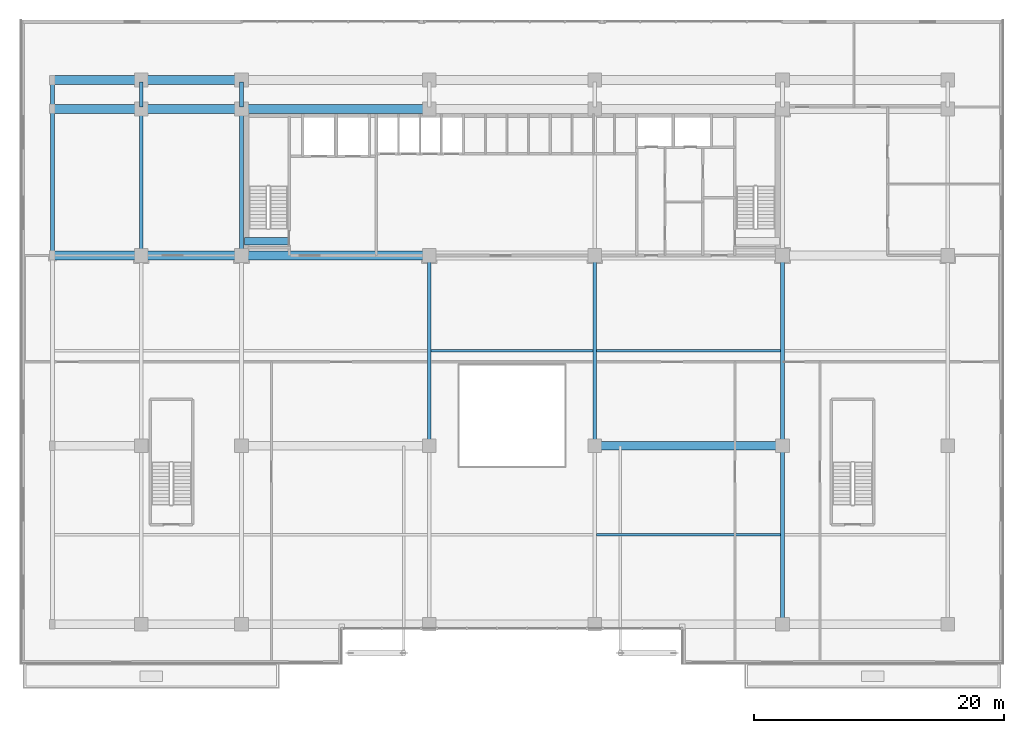
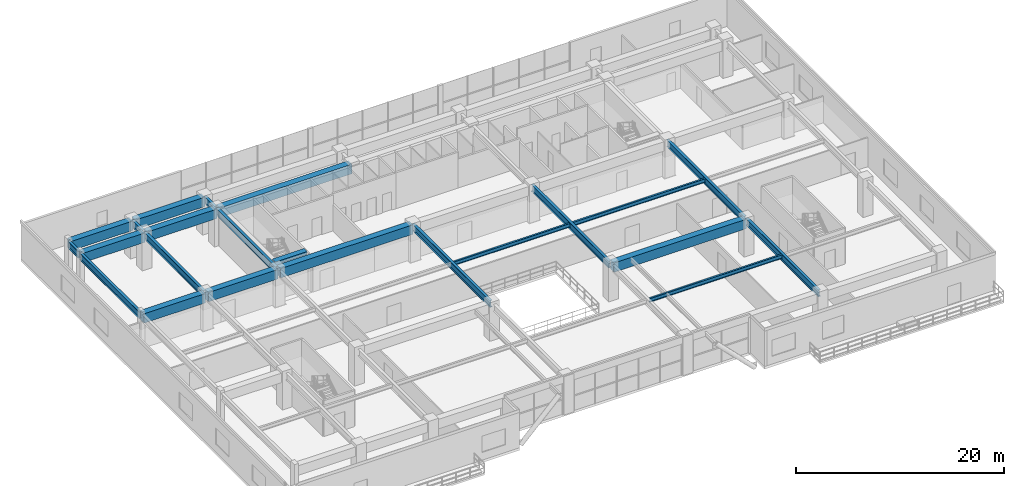
# One storey, part 7 of 24: 23 beams.
"""IFC4 building model written with IfcOpenShell, lengths in metres."""

from ifc_helpers import new_model, si_unit, direction, frame, origin, origin_2d, place, context, subcontext, project, spatial, rectangle, i_section, extrude, source, transform, mapped, material, material_profile, profile_set, type_object, element, save


model = new_model("IFC4")

# Units and contexts
model_context = context("Model", 3, precision=1e-05, world=origin(), true_north=direction((0.0, 1.0)))
body_context = subcontext(model_context, "Body", "Model", "MODEL_VIEW")
ifc_project = project(units=[si_unit("LENGTHUNIT", "METRE"), si_unit("AREAUNIT", "SQUARE_METRE"), si_unit("VOLUMEUNIT", "CUBIC_METRE"), si_unit("PLANEANGLEUNIT", "RADIAN"), si_unit("MASSUNIT", "GRAM", prefix="KILO")], contexts=[model_context])

# Site, building, storey
site_placement = place(None, origin())
site = spatial("IfcSite", under=ifc_project, at=site_placement, CompositionType="ELEMENT")
building_placement = place(site_placement, origin())
building = spatial("IfcBuilding", under=site, at=building_placement, Name="Trelvane Seafront Commons", CompositionType="ELEMENT")
storey_placement = place(building_placement, frame((0.0, 0.0, 9.699951171875)))
storey = spatial("IfcBuildingStorey", under=building, at=storey_placement, Name="L02", CompositionType="ELEMENT", Elevation=9.699951171875)

# Beams
ifc_material_1 = material(Name="Concrete C60/75", Category="concrete")
ifc_material_profile_1 = material_profile(ifc_material_1, rectangle(XDim=0.60009765625, YDim=0.89990234375, at=origin_2d()), Name="RC-600x900")
ifc_profile_set_1 = profile_set([ifc_material_profile_1], Name="Concrete C60/75")
beam_type_1 = type_object("IfcBeamType", Name="STR-LNT-RC600x900", PredefinedType="LINTEL", material=ifc_profile_set_1)
shared_shape_1 = source(origin(), body_context, "Body", "SweptSolid", [
    extrude(rectangle(XDim=0.60009765625, YDim=0.89990234375, at=origin_2d()), origin(), (0.0, 0.0, 1.0), 3.5498046875),
])
beam_1_placement = place(storey_placement, frame((15.85009765625, 34.550048828125, 3.75), z_axis=(1.0, 0.0, 0.0), x_axis=(0.0, 1.0, 0.0)))
element("IfcBeam", 1, at=beam_1_placement, inside=storey, type_object=beam_type_1, Name="L02 Core Coupling Lintel Beam CB-71", PredefinedType="LINTEL", context=body_context, shape_type="MappedRepresentation", body=[
    mapped(shared_shape_1, transform((0.0, 0.0, 0.0), x_axis=(1.0, 0.0, 0.0), y_axis=(0.0, 1.0, 0.0), z_axis=(0.0, 0.0, 1.0), scale=1.0)),
])
ifc_material_2 = material(Name="Concrete C50/60", Category="concrete")
ifc_material_profile_2 = material_profile(ifc_material_2, rectangle(XDim=0.699951171875, YDim=1.10009765625, at=origin_2d()), Name="RC-700x1100")
ifc_profile_set_2 = profile_set([ifc_material_profile_2], Name="Concrete C50/60")
beam_type_2 = type_object("IfcBeamType", Name="STR-TBM-RC700x1100", PredefinedType="T_BEAM", material=ifc_profile_set_2)
shared_shape_2 = source(origin(), body_context, "Body", "SweptSolid", [
    extrude(rectangle(XDim=0.699951171875, YDim=1.10009765625, at=origin_2d()), origin(), (0.0, 0.0, 1.0), 6.83740234375),
])
for number, where, z_axis, x_axis, name in (
    (2, (0.612548828125, 33.39990234375, 3.650146484375), (1.0, 0.0, 0.0), (0.0, 1.0, 0.0), "L02 Primary Girder G-13"),
    (3, (0.612548828125, 45.10009765625, 3.650146484375), (1.0, 0.0, 0.0), (0.0, 1.0, 0.0), "L02 Primary Girder G-19"),
    (4, (0.612548828125, 47.39990234375, 3.650146484375), (1.0, 0.0, 0.0), (0.0, 1.0, 0.0), "L02 Primary Girder G-25"),
):
    element("IfcBeam", number, at=place(storey_placement, frame(where, z_axis=z_axis, x_axis=x_axis)), inside=storey, type_object=beam_type_2, Name=name, PredefinedType="T_BEAM", context=body_context, shape_type="MappedRepresentation", body=[
        mapped(shared_shape_2, transform((0.0, 0.0, 0.0), x_axis=(1.0, 0.0, 0.0), y_axis=(0.0, 1.0, 0.0), z_axis=(0.0, 0.0, 1.0), scale=1.0)),
    ])
shared_shape_3 = source(origin(), body_context, "Body", "SweptSolid", [
    extrude(rectangle(XDim=0.699951171875, YDim=1.10009765625, at=origin_2d()), origin(), (0.0, 0.0, 1.0), 7.699951171875),
])
for number, where, z_axis, x_axis, name in (
    (5, (7.75, 33.39990234375, 3.650146484375), (1.0, 0.0, 0.0), (0.0, 1.0, 0.0), "L02 Primary Girder G-14"),
    (6, (7.75, 45.10009765625, 3.650146484375), (1.0, 0.0, 0.0), (0.0, 1.0, 0.0), "L02 Primary Girder G-20"),
    (7, (7.75, 47.39990234375, 3.650146484375), (1.0, 0.0, 0.0), (0.0, 1.0, 0.0), "L02 Primary Girder G-26"),
):
    element("IfcBeam", number, at=place(storey_placement, frame(where, z_axis=z_axis, x_axis=x_axis)), inside=storey, type_object=beam_type_2, Name=name, PredefinedType="T_BEAM", context=body_context, shape_type="MappedRepresentation", body=[
        mapped(shared_shape_3, transform((0.0, 0.0, 0.0), x_axis=(1.0, 0.0, 0.0), y_axis=(0.0, 1.0, 0.0), z_axis=(0.0, 0.0, 1.0), scale=1.0)),
    ])
shared_shape_4 = source(origin(), body_context, "Body", "SweptSolid", [
    extrude(rectangle(XDim=0.699951171875, YDim=1.10009765625, at=origin_2d()), origin(), (0.0, 0.0, 1.0), 14.699951171875),
])
for number, where, z_axis, x_axis, name in (
    (8, (43.949951171875, 18.199951171875, 3.650146484375), (1.0, 0.0, 0.0), (0.0, 1.0, 0.0), "L02 Primary Girder G-11"),
    (9, (15.75, 33.39990234375, 3.650146484375), (1.0, 0.0, 0.0), (0.0, 1.0, 0.0), "L02 Primary Girder G-15"),
    (10, (15.75, 45.10009765625, 3.650146484375), (1.0, 0.0, 0.0), (0.0, 1.0, 0.0), "L02 Primary Girder G-21"),
):
    element("IfcBeam", number, at=place(storey_placement, frame(where, z_axis=z_axis, x_axis=x_axis)), inside=storey, type_object=beam_type_2, Name=name, PredefinedType="T_BEAM", context=body_context, shape_type="MappedRepresentation", body=[
        mapped(shared_shape_4, transform((0.0, 0.0, 0.0), x_axis=(1.0, 0.0, 0.0), y_axis=(0.0, 1.0, 0.0), z_axis=(0.0, 0.0, 1.0), scale=1.0)),
    ])
ifc_material_3 = material(Name="Steel SM355 (S355)", Category="steel")
ifc_material_profile_3 = material_profile(ifc_material_3, i_section(OverallWidth=0.300048828125, OverallDepth=0.800048828125, WebThickness=0.013916015625, FlangeThickness=0.02587890625, at=origin_2d()), Name="H-800x300x14x26")
ifc_profile_set_3 = profile_set([ifc_material_profile_3], Name="Steel SM355 (S355)")
beam_type_3 = type_object("IfcBeamType", Name="STR-BM-H800", PredefinedType="BEAM", material=ifc_profile_set_3)
shared_shape_5 = source(origin(), body_context, "Body", "SweptSolid", [
    extrude(i_section(OverallWidth=0.300048828125, OverallDepth=0.800048828125, WebThickness=0.013916015625, FlangeThickness=0.02587890625, at=origin_2d()), origin(), (0.0, 0.0, 1.0), 13.949951171875),
])
beam_2_placement = place(storey_placement, frame((58.800048828125, 4.10009765625, 3.800048828125), z_axis=(0.0, 1.0, 0.0), x_axis=(-1.0, 0.0, 0.0)))
element("IfcBeam", 11, at=beam_2_placement, inside=storey, type_object=beam_type_3, Name="L02 Primary Girder G-51", PredefinedType="BEAM", context=body_context, shape_type="MappedRepresentation", body=[
    mapped(shared_shape_5, transform((0.0, 0.0, 0.0), x_axis=(1.0, 0.0, 0.0), y_axis=(0.0, 1.0, 0.0), z_axis=(0.0, 0.0, 1.0), scale=1.0)),
])
shared_shape_6 = source(origin(), body_context, "Body", "SweptSolid", [
    extrude(i_section(OverallWidth=0.300048828125, OverallDepth=0.800048828125, WebThickness=0.013916015625, FlangeThickness=0.02587890625, at=origin_2d()), origin(), (0.0, 0.0, 1.0), 14.89990234375),
])
for number, where, z_axis, x_axis, name in (
    (12, (30.60009765625, 18.35009765625, 3.800048828125), (0.0, 1.0, 0.0), (-1.0, 0.0, 0.0), "L02 Primary Girder G-44"),
    (13, (43.800048828125, 18.35009765625, 3.800048828125), (0.0, 1.0, 0.0), (-1.0, 0.0, 0.0), "L02 Primary Girder G-48"),
    (14, (58.800048828125, 18.35009765625, 3.800048828125), (0.0, 1.0, 0.0), (-1.0, 0.0, 0.0), "L02 Primary Girder G-52"),
):
    element("IfcBeam", number, at=place(storey_placement, frame(where, z_axis=z_axis, x_axis=x_axis)), inside=storey, type_object=beam_type_3, Name=name, PredefinedType="BEAM", context=body_context, shape_type="MappedRepresentation", body=[
        mapped(shared_shape_6, transform((0.0, 0.0, 0.0), x_axis=(1.0, 0.0, 0.0), y_axis=(0.0, 1.0, 0.0), z_axis=(0.0, 0.0, 1.0), scale=1.0)),
    ])
shared_shape_7 = source(origin(), body_context, "Body", "SweptSolid", [
    extrude(i_section(OverallWidth=0.300048828125, OverallDepth=0.800048828125, WebThickness=0.013916015625, FlangeThickness=0.02587890625, at=origin_2d()), origin(), (0.0, 0.0, 1.0), 11.39990234375),
])
for number, where, z_axis, x_axis, name in (
    (15, (0.5, 33.550048828125, 3.800048828125), (0.0, 1.0, 0.0), (-1.0, 0.0, 0.0), "L02 Primary Girder G-33"),
    (16, (7.60009765625, 33.550048828125, 3.800048828125), (0.0, 1.0, 0.0), (-1.0, 0.0, 0.0), "L02 Primary Girder G-37"),
    (17, (15.60009765625, 33.550048828125, 3.800048828125), (0.0, 1.0, 0.0), (-1.0, 0.0, 0.0), "L02 Primary Girder G-41"),
):
    element("IfcBeam", number, at=place(storey_placement, frame(where, z_axis=z_axis, x_axis=x_axis)), inside=storey, type_object=beam_type_3, Name=name, PredefinedType="BEAM", context=body_context, shape_type="MappedRepresentation", body=[
        mapped(shared_shape_7, transform((0.0, 0.0, 0.0), x_axis=(1.0, 0.0, 0.0), y_axis=(0.0, 1.0, 0.0), z_axis=(0.0, 0.0, 1.0), scale=1.0)),
    ])
shared_shape_8 = source(origin(), body_context, "Body", "SweptSolid", [
    extrude(i_section(OverallWidth=0.300048828125, OverallDepth=0.800048828125, WebThickness=0.013916015625, FlangeThickness=0.02587890625, at=origin_2d()), origin(), (0.0, 0.0, 1.0), 2.0),
])
for number, where, z_axis, x_axis, name in (
    (18, (0.5, 45.25, 3.800048828125), (0.0, 1.0, 0.0), (-1.0, 0.0, 0.0), "L02 Primary Girder G-34"),
    (19, (7.60009765625, 45.25, 3.800048828125), (0.0, 1.0, 0.0), (-1.0, 0.0, 0.0), "L02 Primary Girder G-38"),
    (20, (15.60009765625, 45.25, 3.800048828125), (0.0, 1.0, 0.0), (-1.0, 0.0, 0.0), "L02 Primary Girder G-42"),
):
    element("IfcBeam", number, at=place(storey_placement, frame(where, z_axis=z_axis, x_axis=x_axis)), inside=storey, type_object=beam_type_3, Name=name, PredefinedType="BEAM", context=body_context, shape_type="MappedRepresentation", body=[
        mapped(shared_shape_8, transform((0.0, 0.0, 0.0), x_axis=(1.0, 0.0, 0.0), y_axis=(0.0, 1.0, 0.0), z_axis=(0.0, 0.0, 1.0), scale=1.0)),
    ])
ifc_material_profile_4 = material_profile(ifc_material_3, i_section(OverallWidth=0.199951171875, OverallDepth=0.449951171875, WebThickness=0.009033203125, FlangeThickness=0.013916015625, at=origin_2d()), Name="H-450x200x9x14")
ifc_profile_set_4 = profile_set([ifc_material_profile_4], Name="Steel SM355 (S355)")
beam_type_4 = type_object("IfcBeamType", Name="STR-JST-H450", PredefinedType="JOIST", material=ifc_profile_set_4)
shared_shape_9 = source(origin(), body_context, "Body", "SweptSolid", [
    extrude(i_section(OverallWidth=0.199951171875, OverallDepth=0.449951171875, WebThickness=0.009033203125, FlangeThickness=0.013916015625, at=origin_2d()), origin(), (0.0, 0.0, 1.0), 14.699951171875),
])
for number, where, z_axis, x_axis, name in (
    (21, (43.949951171875, 11.074951171875, 3.97509765625), (1.0, 0.0, 0.0), (0.0, 1.0, 0.0), "L02 Secondary Floor Joist B-63"),
    (22, (43.949951171875, 25.800048828125, 3.97509765625), (1.0, 0.0, 0.0), (0.0, 1.0, 0.0), "L02 Secondary Floor Joist B-69"),
):
    element("IfcBeam", number, at=place(storey_placement, frame(where, z_axis=z_axis, x_axis=x_axis)), inside=storey, type_object=beam_type_4, Name=name, PredefinedType="JOIST", context=body_context, shape_type="MappedRepresentation", body=[
        mapped(shared_shape_9, transform((0.0, 0.0, 0.0), x_axis=(1.0, 0.0, 0.0), y_axis=(0.0, 1.0, 0.0), z_axis=(0.0, 0.0, 1.0), scale=1.0)),
    ])
shared_shape_10 = source(origin(), body_context, "Body", "SweptSolid", [
    extrude(i_section(OverallWidth=0.199951171875, OverallDepth=0.449951171875, WebThickness=0.009033203125, FlangeThickness=0.013916015625, at=origin_2d()), origin(), (0.0, 0.0, 1.0), 12.89990234375),
])
beam_3_placement = place(storey_placement, frame((30.75, 25.800048828125, 3.97509765625), z_axis=(1.0, 0.0, 0.0), x_axis=(0.0, 1.0, 0.0)))
element("IfcBeam", 23, at=beam_3_placement, inside=storey, type_object=beam_type_4, Name="L02 Secondary Floor Joist B-68", PredefinedType="JOIST", context=body_context, shape_type="MappedRepresentation", body=[
    mapped(shared_shape_10, transform((0.0, 0.0, 0.0), x_axis=(1.0, 0.0, 0.0), y_axis=(0.0, 1.0, 0.0), z_axis=(0.0, 0.0, 1.0), scale=1.0)),
])

save(model, "model.ifc")
